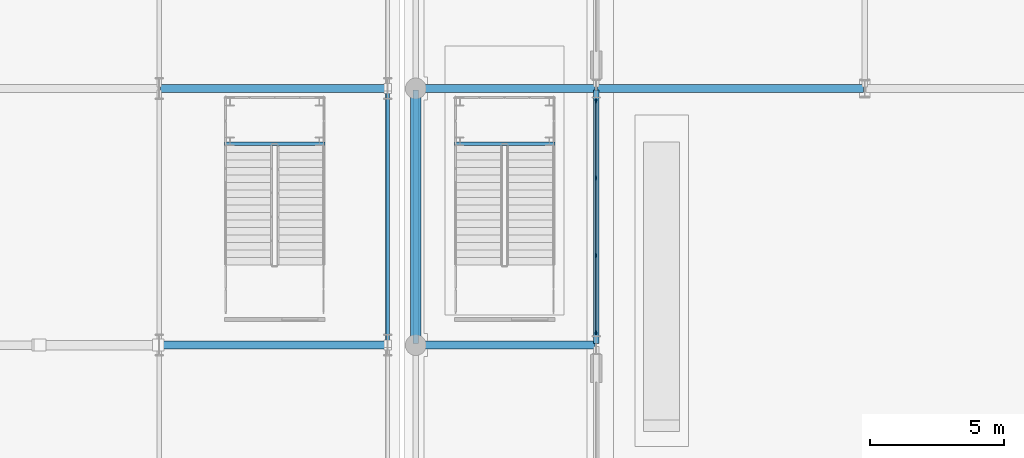
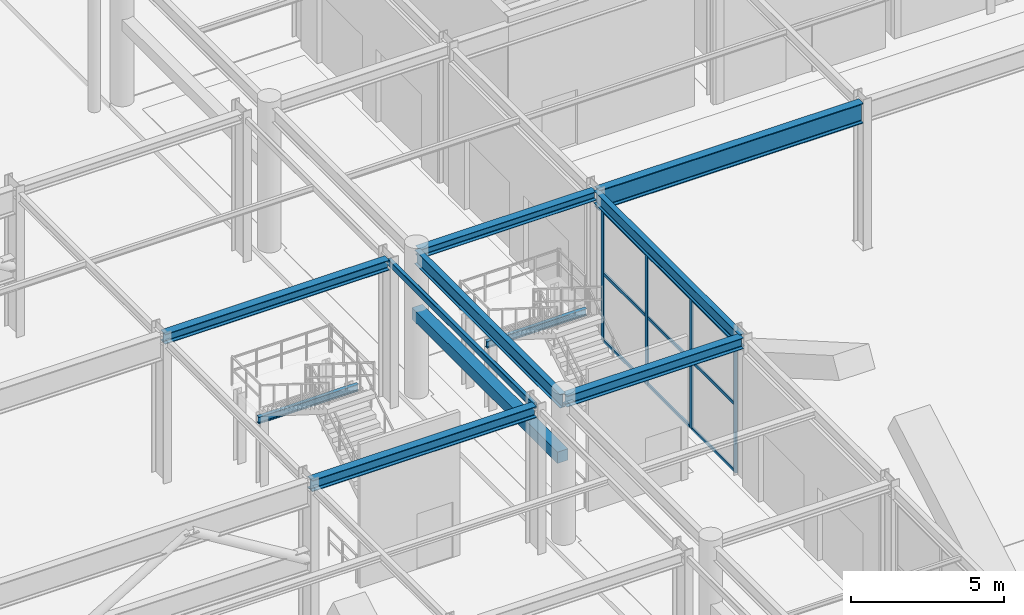
# One storey, part 40 of 113: 13 members, 11 beams, 1 element without a shape of its own.
"""IFC4 building model written with IfcOpenShell, lengths in metres."""

from ifc_helpers import new_model, si_unit, direction, frame, origin, origin_2d, place, context, subcontext, project, spatial, rectangle, hollow_rectangle, i_section, extrude, material, layer, layer_set, material_profile, profile_set, type_object, element, aggregate, save


model = new_model("IFC4")

# Units and contexts
model_context = context("Model", 3, precision=1e-05, world=origin(), true_north=direction((0.0, 1.0)))
body_context = subcontext(model_context, "Body", "Model", "MODEL_VIEW")
ifc_project = project(units=[si_unit("LENGTHUNIT", "METRE"), si_unit("AREAUNIT", "SQUARE_METRE"), si_unit("VOLUMEUNIT", "CUBIC_METRE"), si_unit("PLANEANGLEUNIT", "RADIAN"), si_unit("MASSUNIT", "GRAM", prefix="KILO")], contexts=[model_context])

# Site, building, storey
site_placement = place(None, origin())
site = spatial("IfcSite", under=ifc_project, at=site_placement, CompositionType="ELEMENT")
building_placement = place(site_placement, origin())
building = spatial("IfcBuilding", under=site, at=building_placement, Name="Myrtia Square Station", CompositionType="ELEMENT")
storey_placement = place(building_placement, origin())
storey = spatial("IfcBuildingStorey", under=building, at=storey_placement, Name="L00", CompositionType="ELEMENT", Elevation=0.0)

# Beams
ifc_material_1 = material(Name="Steel S355", Category="steel")
ifc_material_profile_1 = material_profile(ifc_material_1, i_section(OverallWidth=0.300048828125, OverallDepth=0.35009765625, WebThickness=0.010009765625, FlangeThickness=0.017578125, FilletRadius=0.027099609375, at=origin_2d()), Name="HEA 360")
ifc_profile_set_1 = profile_set([ifc_material_profile_1], Name="Steel S355")
beam_type_1 = type_object("IfcBeamType", Name="BM-HEA360", PredefinedType="BEAM", material=ifc_profile_set_1)
beam_1_placement = place(storey_placement, frame((72.64990234375, 76.800048828125, 5.56494140625), z_axis=(1.0, 0.0, 0.0), x_axis=(0.0, 1.0, 0.0)))
element("IfcBeam", 1, at=beam_1_placement, inside=storey, type_object=beam_type_1, Name="Structural girder BMX-L00-0285", PredefinedType="BEAM", context=body_context, shape_type="SweptSolid", body=[
    extrude(i_section(OverallWidth=0.300048828125, OverallDepth=0.35009765625, WebThickness=0.010009765625, FlangeThickness=0.017578125, FilletRadius=0.027099609375, at=origin_2d()), origin(), (0.0, 0.0, 1.0), 6.650146484375),
])
ifc_material_profile_2 = material_profile(ifc_material_1, i_section(OverallWidth=0.300048828125, OverallDepth=0.43994140625, WebThickness=0.011474609375, FlangeThickness=0.02099609375, FilletRadius=0.027099609375, at=origin_2d()), Name="HEA 450")
ifc_profile_set_2 = profile_set([ifc_material_profile_2], Name="Steel S355")
beam_type_2 = type_object("IfcBeamType", Name="BM-HEA450", PredefinedType="BEAM", material=ifc_profile_set_2)
beam_2_placement = place(storey_placement, frame((72.64990234375, 67.199951171875, 5.52001953125), z_axis=(1.0, 0.0, 0.0), x_axis=(0.0, 1.0, 0.0)))
element("IfcBeam", 2, at=beam_2_placement, inside=storey, type_object=beam_type_2, Name="Structural girder BMX-L00-0283", PredefinedType="BEAM", context=body_context, shape_type="SweptSolid", body=[
    extrude(i_section(OverallWidth=0.300048828125, OverallDepth=0.43994140625, WebThickness=0.011474609375, FlangeThickness=0.02099609375, FilletRadius=0.027099609375, at=origin_2d()), origin(), (0.0, 0.0, 1.0), 6.650146484375),
])
ifc_material_profile_3 = material_profile(ifc_material_1, i_section(OverallWidth=0.300048828125, OverallDepth=0.39990234375, WebThickness=0.013427734375, FlangeThickness=0.02392578125, FilletRadius=0.027099609375, at=origin_2d()), Name="HEB 400")
ifc_profile_set_3 = profile_set([ifc_material_profile_3], Name="Steel S355")
beam_type_3 = type_object("IfcBeamType", Name="BM-HEB400", PredefinedType="BEAM", material=ifc_profile_set_3)
beam_3_placement = place(storey_placement, frame((63.050048828125, 76.800048828125, 5.5400390625), z_axis=(1.0, 0.0, 0.0), x_axis=(0.0, 1.0, 0.0)))
element("IfcBeam", 3, at=beam_3_placement, inside=storey, type_object=beam_type_3, Name="Structural girder BMX-L00-0255", PredefinedType="BEAM", context=body_context, shape_type="SweptSolid", body=[
    extrude(i_section(OverallWidth=0.300048828125, OverallDepth=0.39990234375, WebThickness=0.013427734375, FlangeThickness=0.02392578125, FilletRadius=0.027099609375, at=origin_2d()), origin(), (0.0, 0.0, 1.0), 8.449951171875),
])
ifc_material_profile_4 = material_profile(ifc_material_1, i_section(OverallWidth=0.300048828125, OverallDepth=0.449951171875, WebThickness=0.013916015625, FlangeThickness=0.02587890625, FilletRadius=0.027099609375, at=origin_2d()), Name="HEB 450")
ifc_profile_set_4 = profile_set([ifc_material_profile_4], Name="Steel S355")
beam_type_4 = type_object("IfcBeamType", Name="BM-HEB450", PredefinedType="BEAM", material=ifc_profile_set_4)
beam_4_placement = place(storey_placement, frame((63.050048828125, 67.199951171875, 5.514892578125), z_axis=(1.0, 0.0, 0.0), x_axis=(0.0, 1.0, 0.0)))
element("IfcBeam", 4, at=beam_4_placement, inside=storey, type_object=beam_type_4, Name="Structural girder BMX-L00-0254", PredefinedType="BEAM", context=body_context, shape_type="SweptSolid", body=[
    extrude(i_section(OverallWidth=0.300048828125, OverallDepth=0.449951171875, WebThickness=0.013916015625, FlangeThickness=0.02587890625, FilletRadius=0.027099609375, at=origin_2d()), origin(), (0.0, 0.0, 1.0), 8.449951171875),
])
ifc_material_profile_5 = material_profile(ifc_material_1, i_section(OverallWidth=0.135009765625, OverallDepth=0.27001953125, WebThickness=0.006591796875, FlangeThickness=0.01025390625, FilletRadius=0.014892578125, at=origin_2d()), Name="IPE 270")
ifc_profile_set_5 = profile_set([ifc_material_profile_5], Name="Steel S355")
beam_type_5 = type_object("IfcBeamType", Name="BM-IPE270", PredefinedType="BEAM", material=ifc_profile_set_5)
for number, where, z_axis, x_axis, name in (
    (5, (65.43994140625, 74.739990234375, 2.6650390625), (1.0, 0.0, 0.0), (0.0, 1.0, 0.0), "Interchange stair landing bearer 4"),
    (6, (74.0400390625, 74.739990234375, 2.6650390625), (1.0, 0.0, 0.0), (0.0, 1.0, 0.0), "Interchange stair landing bearer 5"),
):
    element("IfcBeam", number, at=place(storey_placement, frame(where, z_axis=z_axis, x_axis=x_axis)), inside=storey, type_object=beam_type_5, Name=name, PredefinedType="BEAM", context=body_context, shape_type="SweptSolid", body=[
        extrude(i_section(OverallWidth=0.135009765625, OverallDepth=0.27001953125, WebThickness=0.006591796875, FlangeThickness=0.01025390625, FilletRadius=0.014892578125, at=origin_2d()), origin(), (0.0, 0.0, 1.0), 3.760009765625),
    ])
ifc_material_profile_6 = material_profile(ifc_material_1, i_section(OverallWidth=0.199951171875, OverallDepth=0.5, WebThickness=0.01025390625, FlangeThickness=0.01611328125, FilletRadius=0.02099609375, at=origin_2d()), Name="IPE 500")
ifc_profile_set_6 = profile_set([ifc_material_profile_6], Name="Steel S355")
beam_type_6 = type_object("IfcBeamType", Name="BM-IPE500", PredefinedType="BEAM", material=ifc_profile_set_6)
beam_5_placement = place(storey_placement, frame((79.35009765625, 67.25, 5.489990234375), z_axis=(0.0, 1.0, 0.0), x_axis=(-1.0, 0.0, 0.0)))
element("IfcBeam", 7, at=beam_5_placement, inside=storey, type_object=beam_type_6, Name="Structural girder BMY-L00-0300", PredefinedType="BEAM", context=body_context, shape_type="SweptSolid", body=[
    extrude(i_section(OverallWidth=0.199951171875, OverallDepth=0.5, WebThickness=0.01025390625, FlangeThickness=0.01611328125, FilletRadius=0.02099609375, at=origin_2d()), origin(), (0.0, 0.0, 1.0), 9.5),
])
ifc_material_profile_7 = material_profile(ifc_material_1, i_section(OverallWidth=0.2099609375, OverallDepth=0.550048828125, WebThickness=0.010986328125, FlangeThickness=0.01708984375, FilletRadius=0.02392578125, at=origin_2d()), Name="IPE 550")
ifc_profile_set_7 = profile_set([ifc_material_profile_7], Name="Steel S355")
beam_type_7 = type_object("IfcBeamType", Name="BM-IPE550", PredefinedType="BEAM", material=ifc_profile_set_7)
beam_6_placement = place(storey_placement, frame((72.60009765625, 67.25, 5.465087890625), z_axis=(0.0, 1.0, 0.0), x_axis=(-1.0, 0.0, 0.0)))
element("IfcBeam", 8, at=beam_6_placement, inside=storey, type_object=beam_type_7, Name="Structural girder BMY-L00-0293", PredefinedType="BEAM", context=body_context, shape_type="SweptSolid", body=[
    extrude(i_section(OverallWidth=0.2099609375, OverallDepth=0.550048828125, WebThickness=0.010986328125, FlangeThickness=0.01708984375, FilletRadius=0.02392578125, at=origin_2d()), origin(), (0.0, 0.0, 1.0), 9.5),
])

# Curtain wall, members
ifc_material_2 = material(Name="Dark bronze anodised aluminium", Category="aluminium")
ifc_layer = layer(ifc_material_2, 0.159912109375, Name="Dark bronze anodised aluminium")
ifc_layer_set = layer_set([ifc_layer], Name="Dark bronze anodised aluminium")
curtain_wall_type = type_object("IfcCurtainWallType", Name="CW-TYPE-01-870x519", PredefinedType="USERDEFINED", material=ifc_layer_set)
curtain_wall_placement = place(storey_placement, origin())
curtain_wall = element("IfcCurtainWall", 9, at=curtain_wall_placement, inside=storey, type_object=curtain_wall_type, Name="Concourse curtain wall CW-L00-003", ObjectType="CONCOURSE CURTAIN WALL", PredefinedType="USERDEFINED")
ifc_material_profile_8 = material_profile(ifc_material_2, rectangle(XDim=0.06005859375, YDim=0.159912109375, at=origin_2d()), Name="ALU-M 60x160")
ifc_profile_set_8 = profile_set([ifc_material_profile_8], Name="Dark bronze anodised aluminium")
member_type_1 = type_object("IfcMemberType", Name="CWM-60x160", PredefinedType="MULLION", material=ifc_profile_set_8)
member_1_placement = place(storey_placement, frame((79.35009765625, 67.679931640625, 0.0), z_axis=(0.0, 0.0, 1.0), x_axis=(-1.0, 0.0, 0.0)))
member_1 = element("IfcMember", 10, at=member_1_placement, type_object=member_type_1, Name="CW-003 mullion 1", PredefinedType="MULLION", context=body_context, shape_type="SweptSolid", body=[
    extrude(rectangle(XDim=0.06005859375, YDim=0.159912109375, at=origin_2d()), origin(), (0.0, 0.0, 1.0), 5.18994140625),
])
member_2_placement = place(storey_placement, frame((79.35009765625, 70.550048828125, 0.0), z_axis=(0.0, 0.0, 1.0), x_axis=(-1.0, 0.0, 0.0)))
member_2 = element("IfcMember", 11, at=member_2_placement, type_object=member_type_1, Name="CW-003 mullion 2", PredefinedType="MULLION", context=body_context, shape_type="SweptSolid", body=[
    extrude(rectangle(XDim=0.06005859375, YDim=0.159912109375, at=origin_2d()), origin(), (0.0, 0.0, 1.0), 5.18994140625),
])
member_3_placement = place(storey_placement, frame((79.35009765625, 73.449951171875, 0.0), z_axis=(0.0, 0.0, 1.0), x_axis=(-1.0, 0.0, 0.0)))
member_3 = element("IfcMember", 12, at=member_3_placement, type_object=member_type_1, Name="CW-003 mullion 3", PredefinedType="MULLION", context=body_context, shape_type="SweptSolid", body=[
    extrude(rectangle(XDim=0.06005859375, YDim=0.159912109375, at=origin_2d()), origin(), (0.0, 0.0, 1.0), 5.18994140625),
])
member_4_placement = place(storey_placement, frame((79.35009765625, 76.320068359375, 0.0), z_axis=(0.0, 0.0, 1.0), x_axis=(-1.0, 0.0, 0.0)))
member_4 = element("IfcMember", 13, at=member_4_placement, type_object=member_type_1, Name="CW-003 mullion 4", PredefinedType="MULLION", context=body_context, shape_type="SweptSolid", body=[
    extrude(rectangle(XDim=0.06005859375, YDim=0.159912109375, at=origin_2d()), origin(), (0.0, 0.0, 1.0), 5.18994140625),
])
ifc_material_profile_9 = material_profile(ifc_material_2, rectangle(XDim=0.06005859375, YDim=0.1201171875, at=origin_2d()), Name="ALU-T 60x120")
ifc_profile_set_9 = profile_set([ifc_material_profile_9], Name="Dark bronze anodised aluminium")
member_type_2 = type_object("IfcMemberType", Name="CWT-60x120", PredefinedType="USERDEFINED", material=ifc_profile_set_9)
member_5_placement = place(storey_placement, frame((79.35009765625, 67.7099609375, 0.030029296875), z_axis=(0.0, 1.0, 0.0), x_axis=(-1.0, 0.0, 0.0)))
member_5 = element("IfcMember", 14, at=member_5_placement, type_object=member_type_2, Name="CW-003 transom 1.1", ObjectType="TRANSOM", PredefinedType="USERDEFINED", context=body_context, shape_type="SweptSolid", body=[
    extrude(rectangle(XDim=0.06005859375, YDim=0.1201171875, at=origin_2d()), origin(), (0.0, 0.0, 1.0), 2.81005859375),
])
member_6_placement = place(storey_placement, frame((79.35009765625, 67.7099609375, 2.698974609375), z_axis=(0.0, 1.0, 0.0), x_axis=(-1.0, 0.0, 0.0)))
member_6 = element("IfcMember", 15, at=member_6_placement, type_object=member_type_2, Name="CW-003 transom 1.2", ObjectType="TRANSOM", PredefinedType="USERDEFINED", context=body_context, shape_type="SweptSolid", body=[
    extrude(rectangle(XDim=0.06005859375, YDim=0.1201171875, at=origin_2d()), origin(), (0.0, 0.0, 1.0), 2.81005859375),
])
member_7_placement = place(storey_placement, frame((79.35009765625, 67.7099609375, 5.159912109375), z_axis=(0.0, 1.0, 0.0), x_axis=(-1.0, 0.0, 0.0)))
member_7 = element("IfcMember", 16, at=member_7_placement, type_object=member_type_2, Name="CW-003 transom 1.3", ObjectType="TRANSOM", PredefinedType="USERDEFINED", context=body_context, shape_type="SweptSolid", body=[
    extrude(rectangle(XDim=0.06005859375, YDim=0.1201171875, at=origin_2d()), origin(), (0.0, 0.0, 1.0), 2.81005859375),
])
member_8_placement = place(storey_placement, frame((79.35009765625, 70.580078125, 0.030029296875), z_axis=(0.0, 1.0, 0.0), x_axis=(-1.0, 0.0, 0.0)))
member_8 = element("IfcMember", 17, at=member_8_placement, type_object=member_type_2, Name="CW-003 transom 2.1", ObjectType="TRANSOM", PredefinedType="USERDEFINED", context=body_context, shape_type="SweptSolid", body=[
    extrude(rectangle(XDim=0.06005859375, YDim=0.1201171875, at=origin_2d()), origin(), (0.0, 0.0, 1.0), 2.83984375),
])
member_9_placement = place(storey_placement, frame((79.35009765625, 70.580078125, 2.698974609375), z_axis=(0.0, 1.0, 0.0), x_axis=(-1.0, 0.0, 0.0)))
member_9 = element("IfcMember", 18, at=member_9_placement, type_object=member_type_2, Name="CW-003 transom 2.2", ObjectType="TRANSOM", PredefinedType="USERDEFINED", context=body_context, shape_type="SweptSolid", body=[
    extrude(rectangle(XDim=0.06005859375, YDim=0.1201171875, at=origin_2d()), origin(), (0.0, 0.0, 1.0), 2.83984375),
])
member_10_placement = place(storey_placement, frame((79.35009765625, 70.580078125, 5.159912109375), z_axis=(0.0, 1.0, 0.0), x_axis=(-1.0, 0.0, 0.0)))
member_10 = element("IfcMember", 19, at=member_10_placement, type_object=member_type_2, Name="CW-003 transom 2.3", ObjectType="TRANSOM", PredefinedType="USERDEFINED", context=body_context, shape_type="SweptSolid", body=[
    extrude(rectangle(XDim=0.06005859375, YDim=0.1201171875, at=origin_2d()), origin(), (0.0, 0.0, 1.0), 2.83984375),
])
member_11_placement = place(storey_placement, frame((79.35009765625, 73.47998046875, 0.030029296875), z_axis=(0.0, 1.0, 0.0), x_axis=(-1.0, 0.0, 0.0)))
member_11 = element("IfcMember", 20, at=member_11_placement, type_object=member_type_2, Name="CW-003 transom 3.1", ObjectType="TRANSOM", PredefinedType="USERDEFINED", context=body_context, shape_type="SweptSolid", body=[
    extrude(rectangle(XDim=0.06005859375, YDim=0.1201171875, at=origin_2d()), origin(), (0.0, 0.0, 1.0), 2.81005859375),
])
member_12_placement = place(storey_placement, frame((79.35009765625, 73.47998046875, 2.698974609375), z_axis=(0.0, 1.0, 0.0), x_axis=(-1.0, 0.0, 0.0)))
member_12 = element("IfcMember", 21, at=member_12_placement, type_object=member_type_2, Name="CW-003 transom 3.2", ObjectType="TRANSOM", PredefinedType="USERDEFINED", context=body_context, shape_type="SweptSolid", body=[
    extrude(rectangle(XDim=0.06005859375, YDim=0.1201171875, at=origin_2d()), origin(), (0.0, 0.0, 1.0), 2.81005859375),
])
member_13_placement = place(storey_placement, frame((79.35009765625, 73.47998046875, 5.159912109375), z_axis=(0.0, 1.0, 0.0), x_axis=(-1.0, 0.0, 0.0)))
member_13 = element("IfcMember", 22, at=member_13_placement, type_object=member_type_2, Name="CW-003 transom 3.3", ObjectType="TRANSOM", PredefinedType="USERDEFINED", context=body_context, shape_type="SweptSolid", body=[
    extrude(rectangle(XDim=0.06005859375, YDim=0.1201171875, at=origin_2d()), origin(), (0.0, 0.0, 1.0), 2.81005859375),
])
aggregate(curtain_wall, [member_1, member_2, member_3, member_4, member_5, member_6, member_7, member_8, member_9, member_10, member_11, member_12, member_13])

# Beams
ifc_material_3 = material(Name="Concrete C35/45", Category="concrete")
ifc_material_profile_10 = material_profile(ifc_material_3, rectangle(XDim=0.39990234375, YDim=0.449951171875, at=origin_2d()), Name="LNT 400x450")
ifc_profile_set_10 = profile_set([ifc_material_profile_10], Name="Concrete C35/45")
beam_type_8 = type_object("IfcBeamType", Name="LNT-RC400x450", PredefinedType="LINTEL", material=ifc_profile_set_10)
beam_7_placement = place(storey_placement, frame((72.60009765625, 67.25, 3.25), z_axis=(0.0, 1.0, 0.0), x_axis=(-1.0, 0.0, 0.0)))
element("IfcBeam", 23, at=beam_7_placement, inside=storey, type_object=beam_type_8, Name="Reinforced concrete opening lintel L00-03", PredefinedType="LINTEL", context=body_context, shape_type="SweptSolid", body=[
    extrude(rectangle(XDim=0.39990234375, YDim=0.449951171875, at=origin_2d()), origin(), (0.0, 0.0, 1.0), 9.5),
])
ifc_material_profile_11 = material_profile(ifc_material_1, hollow_rectangle(XDim=0.14990234375, YDim=0.25, WallThickness=0.012451171875, InnerFilletRadius=0.012451171875, OuterFilletRadius=0.02490234375, at=origin_2d()), Name="RHS 250x150x12.5")
ifc_profile_set_11 = profile_set([ifc_material_profile_11], Name="Steel S355")
beam_type_9 = type_object("IfcBeamType", Name="SPN-RHS250", PredefinedType="SPANDREL", material=ifc_profile_set_11)
beam_8_placement = place(storey_placement, frame((71.550048828125, 67.25, 5.614990234375), z_axis=(0.0, 1.0, 0.0), x_axis=(-1.0, 0.0, 0.0)))
element("IfcBeam", 24, at=beam_8_placement, inside=storey, type_object=beam_type_9, Name="Structural girder SPNY-L00-0074", PredefinedType="SPANDREL", context=body_context, shape_type="SweptSolid", body=[
    extrude(hollow_rectangle(XDim=0.14990234375, YDim=0.25, WallThickness=0.012451171875, InnerFilletRadius=0.012451171875, OuterFilletRadius=0.02490234375, at=origin_2d()), origin(), (0.0, 0.0, 1.0), 9.5),
])
ifc_material_profile_12 = material_profile(ifc_material_1, i_section(OverallWidth=0.300048828125, OverallDepth=0.800048828125, WebThickness=0.017578125, FlangeThickness=0.032958984375, FilletRadius=0.030029296875, at=origin_2d()), Name="HEB 800")
ifc_profile_set_12 = profile_set([ifc_material_profile_12], Name="Steel S355")
beam_type_10 = type_object("IfcBeamType", Name="TG-HEB800", PredefinedType="USERDEFINED", material=ifc_profile_set_12)
beam_9_placement = place(storey_placement, frame((79.39990234375, 76.800048828125, 5.340087890625), z_axis=(1.0, 0.0, 0.0), x_axis=(0.0, 1.0, 0.0)))
element("IfcBeam", 25, at=beam_9_placement, inside=storey, type_object=beam_type_10, Name="Structural girder TG-L00-0089", ObjectType="TRANSFER GIRDER", PredefinedType="USERDEFINED", context=body_context, shape_type="SweptSolid", body=[
    extrude(i_section(OverallWidth=0.300048828125, OverallDepth=0.800048828125, WebThickness=0.017578125, FlangeThickness=0.032958984375, FilletRadius=0.030029296875, at=origin_2d()), origin(), (0.0, 0.0, 1.0), 9.9501953125),
])

save(model, "model.ifc")
